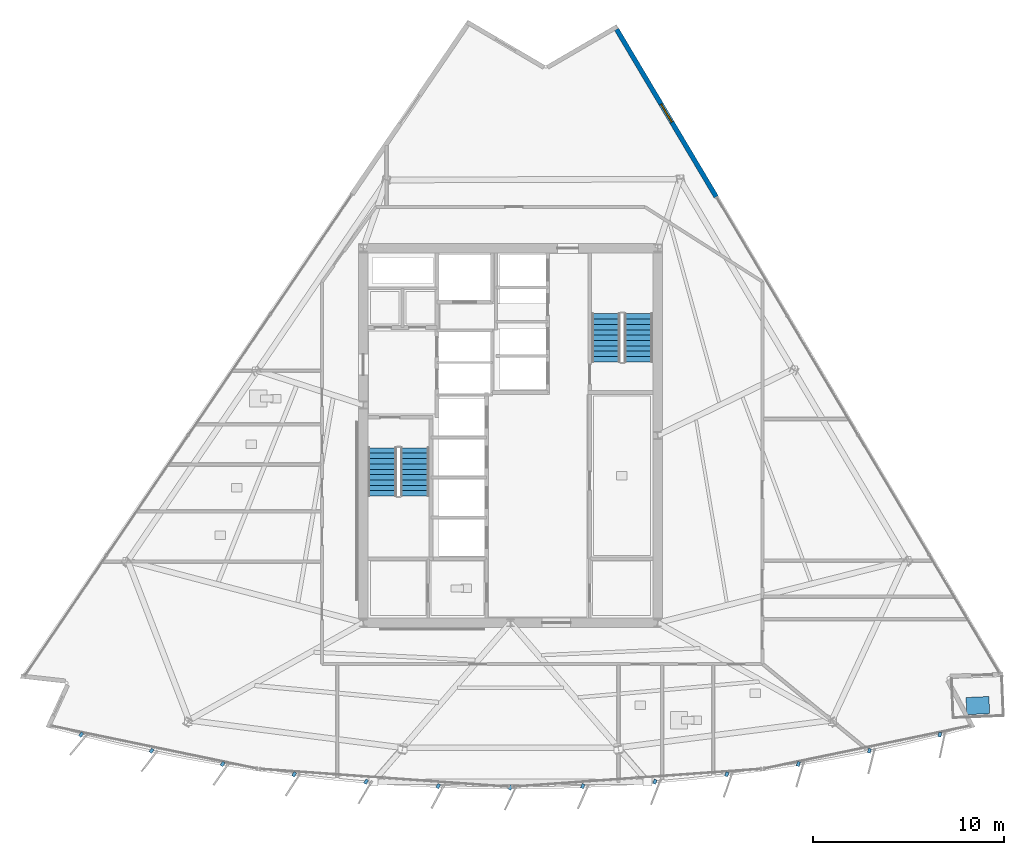
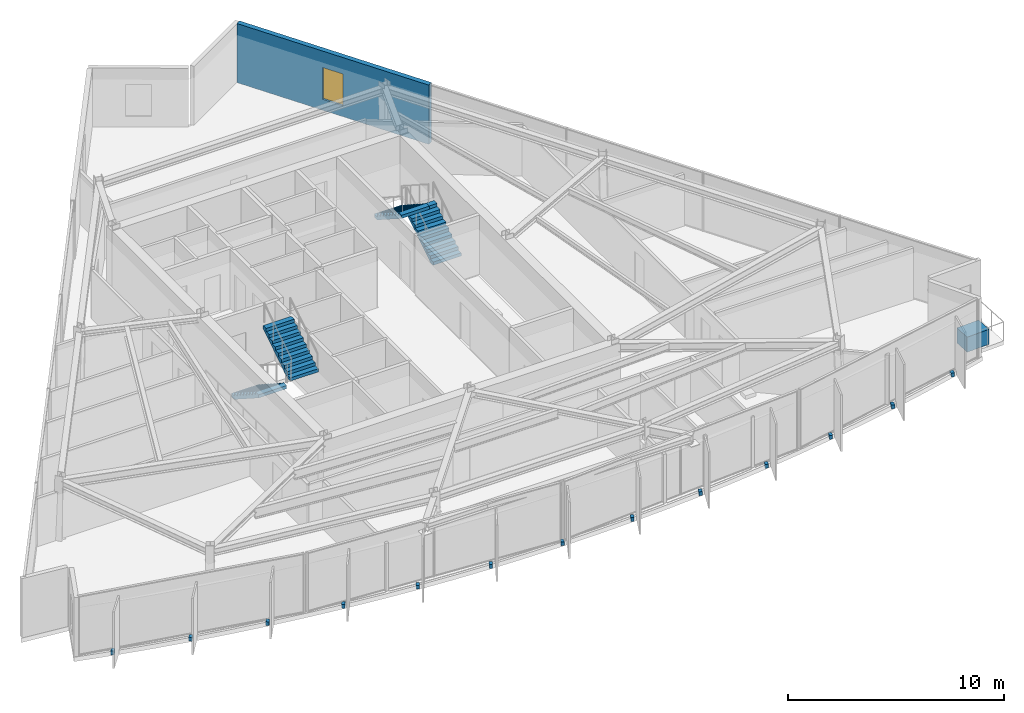
# One storey, part 10 of 15: 14 discrete accessories, 4 stair flights, 1 wall, 1 window, 1 opening, 2 elements without a shape of their own.
"""IFC4 building model written with IfcOpenShell, lengths in metres."""

from ifc_helpers import new_model, si_unit, direction, frame, frame_2d, origin, origin_2d, place, context, subcontext, project, spatial, polyline, rectangle, outline, extrude, material, layer, layer_set, type_object, element, fill, aggregate, save


model = new_model("IFC4")

# Units and contexts
model_context = context("Model", 3, precision=1e-05, world=origin(), true_north=direction((0.0, 1.0)))
body_context = subcontext(model_context, "Body", "Model", "MODEL_VIEW")
ifc_project = project(units=[si_unit("LENGTHUNIT", "METRE"), si_unit("AREAUNIT", "SQUARE_METRE"), si_unit("VOLUMEUNIT", "CUBIC_METRE"), si_unit("PLANEANGLEUNIT", "RADIAN"), si_unit("MASSUNIT", "GRAM", prefix="KILO")], contexts=[model_context])

# Site, building, storey
site_placement = place(None, origin())
site = spatial("IfcSite", under=ifc_project, at=site_placement, CompositionType="ELEMENT")
building_placement = place(site_placement, origin())
building = spatial("IfcBuilding", under=site, at=building_placement, Name="Savorim Split Tower", CompositionType="ELEMENT")
storey_placement = place(building_placement, frame((0.0, 0.0, 201.89990234375)))
storey = spatial("IfcBuildingStorey", under=building, at=storey_placement, Name="L53", CompositionType="ELEMENT", Elevation=201.89990234375)

# Wall, opening, window
ifc_material_1 = material(Name="Precast concrete C40/50", Category="concrete")
ifc_layer = layer(ifc_material_1, 0.25)
ifc_layer_set = layer_set([ifc_layer], Name="WAL-EXT-SPN250")
wall_type = type_object("IfcWallType", Name="WAL-EXT-SPN250", PredefinedType="SOLIDWALL", material=ifc_layer_set)
wall_placement = place(storey_placement, frame((5.55078125, 21.646728515625, 0.0), z_axis=(0.0, 0.0, 1.0), x_axis=(0.511094988088, -0.859524236512, 0.0)))
wall = element("IfcWall", 1, at=wall_placement, inside=storey, type_object=wall_type, Name="L53 East Operable Window Pier", PredefinedType="SOLIDWALL", context=body_context, shape_type="SweptSolid", body=[
    extrude(rectangle(XDim=10.199951171875, YDim=0.25, at=frame_2d((5.10009765625, 0.0))), origin(), (0.0, 0.0, 1.0), 3.35009765625),
])
opening_placement = place(wall_placement, frame((4.550048828125, 0.0, 0.6201171875)))
opening = element("IfcOpeningElement", 2, at=opening_placement, cuts=wall, Name="Opening WN-09", PredefinedType="OPENING", context=body_context, shape_type="SweptSolid", body=[
    extrude(rectangle(XDim=1.10009765625, YDim=1.800048828125, at=frame_2d((0.550048828125, 0.89990234375))), frame((0.0, 0.135009765625, 0.0), z_axis=(0.0, -1.0, 0.0), x_axis=(1.0, 0.0, 0.0)), (0.0, 0.0, 1.0), 0.27001953125),
])
ifc_material_2 = material(Name="Low-E Operable Double Glazing", Category="glass")
window_type = type_object("IfcWindowType", Name="WIN-TWR-1100x1800", PartitioningType="SINGLE_PANEL", PredefinedType="WINDOW", material=ifc_material_2)
window_placement = place(opening_placement, origin())
window = element("IfcWindow", 3, at=window_placement, inside=storey, type_object=window_type, Name="L53 East Operable Ventilation Window", OverallHeight=1.800048828125, OverallWidth=1.10009765625, PartitioningType="SINGLE_PANEL", PredefinedType="WINDOW", context=body_context, shape_type="SweptSolid", body=[
    extrude(rectangle(XDim=1.10009765625, YDim=1.800048828125, at=frame_2d((0.550048828125, 0.89990234375))), frame((0.0, 0.030029296875, 0.0), z_axis=(0.0, -1.0, 0.0), x_axis=(1.0, 0.0, 0.0)), (0.0, 0.0, 1.0), 0.06005859375),
])
fill(opening, window)

# Stair, stair flights
ifc_material_3 = material(Name="Concrete C50/60", Category="concrete")
stair_type = type_object("IfcStairType", Name="STR-DOG-3600", PredefinedType="HALF_TURN_STAIR", material=ifc_material_3)
stair_1_placement = place(storey_placement, origin())
stair_1 = element("IfcStair", 4, at=stair_1_placement, inside=storey, type_object=stair_type, Name="L53 Core Protected Exit Stair ST-1", PredefinedType="HALF_TURN_STAIR")
stair_flight_type = type_object("IfcStairFlightType", Name="SFL-DOG-3600", PredefinedType="STRAIGHT", material=ifc_material_3)
stair_flight_1_placement = place(storey_placement, frame((-6.699951171875, -0.25, 0.0), z_axis=(0.0, 0.0, 1.0), x_axis=(0.0, -1.0, 0.0)))
stair_flight_1 = element("IfcStairFlight", 5, at=stair_flight_1_placement, type_object=stair_flight_type, Name="ST-1 flight 1", NumberOfRisers=10, NumberOfTreads=9, PredefinedType="STRAIGHT", RiserHeight=0.18, TreadLength=0.28, context=body_context, shape_type="SweptSolid", body=[
    extrude(outline(polyline([(0.0, 0.0), (0.0, 0.179931640625), (0.280029296875, 0.179931640625), (0.280029296875, 0.360107421875), (0.56005859375, 0.360107421875), (0.56005859375, 0.5400390625), (0.840087890625, 0.5400390625), (0.840087890625, 0.719970703125), (1.1201171875, 0.719970703125), (1.1201171875, 0.89990234375), (1.39990234375, 0.89990234375), (1.39990234375, 1.080078125), (1.679931640625, 1.080078125), (1.679931640625, 1.260009765625), (1.9599609375, 1.260009765625), (1.9599609375, 1.43994140625), (2.239990234375, 1.43994140625), (2.239990234375, 1.6201171875), (2.52001953125, 1.6201171875), (2.52001953125, 1.800048828125), (2.52001953125, 1.44189453125), (0.277099609375, 0.0), (0.0, 0.0)])), frame((0.0, 0.75, 0.0), z_axis=(0.0, -1.0, 0.0), x_axis=(1.0, 0.0, 0.0)), (0.0, 0.0, 1.0), 1.5),
])
stair_flight_2_placement = place(storey_placement, frame((-5.0, -2.77001953125, 1.800048828125), z_axis=(0.0, 0.0, 1.0), x_axis=(0.0, 1.0, 0.0)))
stair_flight_2 = element("IfcStairFlight", 6, at=stair_flight_2_placement, type_object=stair_flight_type, Name="ST-1 flight 2", NumberOfRisers=10, NumberOfTreads=9, PredefinedType="STRAIGHT", RiserHeight=0.18, TreadLength=0.28, context=body_context, shape_type="SweptSolid", body=[
    extrude(outline(polyline([(0.0, 0.0), (0.0, 0.179931640625), (0.280029296875, 0.179931640625), (0.280029296875, 0.360107421875), (0.56005859375, 0.360107421875), (0.56005859375, 0.5400390625), (0.840087890625, 0.5400390625), (0.840087890625, 0.719970703125), (1.1201171875, 0.719970703125), (1.1201171875, 0.89990234375), (1.39990234375, 0.89990234375), (1.39990234375, 1.080078125), (1.679931640625, 1.080078125), (1.679931640625, 1.260009765625), (1.9599609375, 1.260009765625), (1.9599609375, 1.43994140625), (2.239990234375, 1.43994140625), (2.239990234375, 1.6201171875), (2.52001953125, 1.6201171875), (2.52001953125, 1.800048828125), (2.52001953125, 1.44189453125), (0.277099609375, 0.0), (0.0, 0.0)])), frame((0.0, 0.75, 0.0), z_axis=(0.0, -1.0, 0.0), x_axis=(1.0, 0.0, 0.0)), (0.0, 0.0, 1.0), 1.5),
])
aggregate(stair_1, [stair_flight_1, stair_flight_2])

stair_2_placement = place(storey_placement, origin())
stair_2 = element("IfcStair", 7, at=stair_2_placement, inside=storey, type_object=stair_type, Name="L53 Core Protected Exit Stair ST-2", PredefinedType="HALF_TURN_STAIR")
stair_flight_3_placement = place(storey_placement, frame((6.699951171875, 4.25, 0.0), z_axis=(0.0, 0.0, 1.0), x_axis=(0.0, 1.0, 0.0)))
stair_flight_3 = element("IfcStairFlight", 8, at=stair_flight_3_placement, type_object=stair_flight_type, Name="ST-2 flight 1", NumberOfRisers=10, NumberOfTreads=9, PredefinedType="STRAIGHT", RiserHeight=0.18, TreadLength=0.28, context=body_context, shape_type="SweptSolid", body=[
    extrude(outline(polyline([(0.0, 0.0), (0.0, 0.179931640625), (0.280029296875, 0.179931640625), (0.280029296875, 0.360107421875), (0.56005859375, 0.360107421875), (0.56005859375, 0.5400390625), (0.840087890625, 0.5400390625), (0.840087890625, 0.719970703125), (1.1201171875, 0.719970703125), (1.1201171875, 0.89990234375), (1.39990234375, 0.89990234375), (1.39990234375, 1.080078125), (1.679931640625, 1.080078125), (1.679931640625, 1.260009765625), (1.9599609375, 1.260009765625), (1.9599609375, 1.43994140625), (2.239990234375, 1.43994140625), (2.239990234375, 1.6201171875), (2.52001953125, 1.6201171875), (2.52001953125, 1.800048828125), (2.52001953125, 1.44189453125), (0.277099609375, 0.0), (0.0, 0.0)])), frame((0.0, 0.75, 0.0), z_axis=(0.0, -1.0, 0.0), x_axis=(1.0, 0.0, 0.0)), (0.0, 0.0, 1.0), 1.5),
])
stair_flight_4_placement = place(storey_placement, frame((5.0, 6.77001953125, 1.800048828125), z_axis=(0.0, 0.0, 1.0), x_axis=(0.0, -1.0, 0.0)))
stair_flight_4 = element("IfcStairFlight", 9, at=stair_flight_4_placement, type_object=stair_flight_type, Name="ST-2 flight 2", NumberOfRisers=10, NumberOfTreads=9, PredefinedType="STRAIGHT", RiserHeight=0.18, TreadLength=0.28, context=body_context, shape_type="SweptSolid", body=[
    extrude(outline(polyline([(0.0, 0.0), (0.0, 0.179931640625), (0.280029296875, 0.179931640625), (0.280029296875, 0.360107421875), (0.56005859375, 0.360107421875), (0.56005859375, 0.5400390625), (0.840087890625, 0.5400390625), (0.840087890625, 0.719970703125), (1.1201171875, 0.719970703125), (1.1201171875, 0.89990234375), (1.39990234375, 0.89990234375), (1.39990234375, 1.080078125), (1.679931640625, 1.080078125), (1.679931640625, 1.260009765625), (1.9599609375, 1.260009765625), (1.9599609375, 1.43994140625), (2.239990234375, 1.43994140625), (2.239990234375, 1.6201171875), (2.52001953125, 1.6201171875), (2.52001953125, 1.800048828125), (2.52001953125, 1.44189453125), (0.277099609375, 0.0), (0.0, 0.0)])), frame((0.0, 0.75, 0.0), z_axis=(0.0, -1.0, 0.0), x_axis=(1.0, 0.0, 0.0)), (0.0, 0.0, 1.0), 1.5),
])
aggregate(stair_2, [stair_flight_3, stair_flight_4])

# Discrete accessories
ifc_material_4 = material(Name="Steel S355", Category="steel")
discrete_accessory_type_1 = type_object("IfcDiscreteAccessoryType", Name="ACC-BRK-FIN", PredefinedType="BRACKET", material=ifc_material_4)
for number, where, z_axis, x_axis, name in (
    (10, (-22.460205078125, -15.250732421875, -0.18994140625), (0.0, 0.0, 1.0), (-0.643719022682, -0.765261928909, 0.0), "L53 Fin Slab-Edge Cleat Bracket 01"),
    (11, (-18.774658203125, -16.0947265625, -0.18994140625), (0.0, 0.0, 1.0), (-0.611868076908, -0.790959832394, 0.0), "L53 Fin Slab-Edge Cleat Bracket 02"),
    (12, (-15.0576171875, -16.787109375, -0.18994140625), (0.0, 0.0, 1.0), (-0.578993757737, -0.815331974414, 0.0), "L53 Fin Slab-Edge Cleat Bracket 03"),
    (13, (-11.315185546875, -17.326904296875, -0.18994140625), (0.0, 0.0, 1.0), (-0.545148321708, -0.838339613366, 0.0), "L53 Fin Slab-Edge Cleat Bracket 04"),
    (14, (-7.55419921875, -17.713134765625, -0.18994140625), (0.0, 0.0, 1.0), (-0.510391336723, -0.859942255851, 0.0), "L53 Fin Slab-Edge Cleat Bracket 05"),
    (15, (-3.7802734375, -17.945068359375, -0.18994140625), (0.0, 0.0, 1.0), (-0.474778051978, -0.880105562623, 0.0), "L53 Fin Slab-Edge Cleat Bracket 06"),
    (16, (0.0, -18.0224609375, -0.18994140625), (0.0, 0.0, 1.0), (-0.438371146789, -0.898794046299, 0.0), "L53 Fin Slab-Edge Cleat Bracket 07"),
    (17, (3.7802734375, -17.945068359375, -0.18994140625), (0.0, 0.0, 1.0), (-0.401230091723, -0.915977299662, 0.0), "L53 Fin Slab-Edge Cleat Bracket 08"),
    (18, (7.55419921875, -17.713134765625, -0.18994140625), (0.0, 0.0, 1.0), (-0.363415461732, -0.931627179817, 0.0), "L53 Fin Slab-Edge Cleat Bracket 09"),
    (19, (11.315185546875, -17.326904296875, -0.18994140625), (0.0, 0.0, 1.0), (-0.324993810493, -0.945716143005, 0.0), "L53 Fin Slab-Edge Cleat Bracket 10"),
    (20, (15.0576171875, -16.787109375, -0.18994140625), (0.0, 0.0, 1.0), (-0.286026212504, -0.958221793616, 0.0), "L53 Fin Slab-Edge Cleat Bracket 11"),
    (21, (18.774658203125, -16.0947265625, -0.18994140625), (0.0, 0.0, 1.0), (-0.246581250663, -0.969122121727, 0.0), "L53 Fin Slab-Edge Cleat Bracket 12"),
    (22, (22.460205078125, -15.250732421875, -0.18994140625), (0.0, 0.0, 1.0), (-0.206721626106, -0.978399800337, 0.0), "L53 Fin Slab-Edge Cleat Bracket 13"),
):
    element("IfcDiscreteAccessory", number, at=place(storey_placement, frame(where, z_axis=z_axis, x_axis=x_axis)), inside=storey, type_object=discrete_accessory_type_1, Name=name, PredefinedType="BRACKET", context=body_context, shape_type="SweptSolid", body=[
        extrude(rectangle(XDim=0.239990234375, YDim=0.159912109375, at=origin_2d()), origin(), (0.0, 0.0, 1.0), 0.219970703125),
    ])
ifc_material_5 = material(Name="Architectural Precast Planter Concrete C40/50", Category="concrete")
discrete_accessory_type_2 = type_object("IfcDiscreteAccessoryType", Name="ACC-PLN-TREE", PredefinedType="USERDEFINED", material=ifc_material_5)
discrete_accessory_placement = place(storey_placement, frame((24.4482421875, -13.73046875, 0.0), z_axis=(0.0, 0.0, 1.0), x_axis=(0.999095950682, 0.042512131569, 0.0)))
element("IfcDiscreteAccessory", 23, at=discrete_accessory_placement, inside=storey, type_object=discrete_accessory_type_2, Name="L53 Balcony Precast Tree Planter SE", ObjectType="PLANTER", PredefinedType="USERDEFINED", context=body_context, shape_type="SweptSolid", body=[
    extrude(rectangle(XDim=1.199951171875, YDim=0.89990234375, at=origin_2d()), origin(), (0.0, 0.0, 1.0), 0.85009765625),
])

save(model, "model.ifc")
